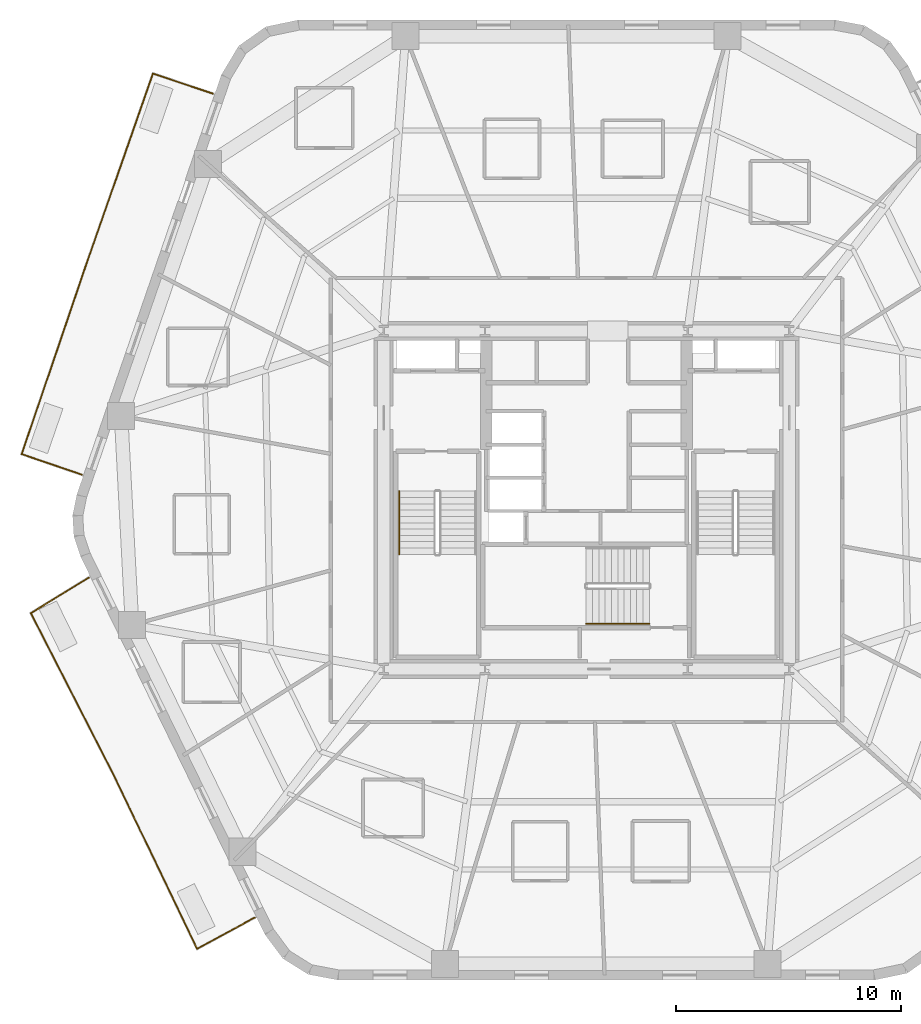
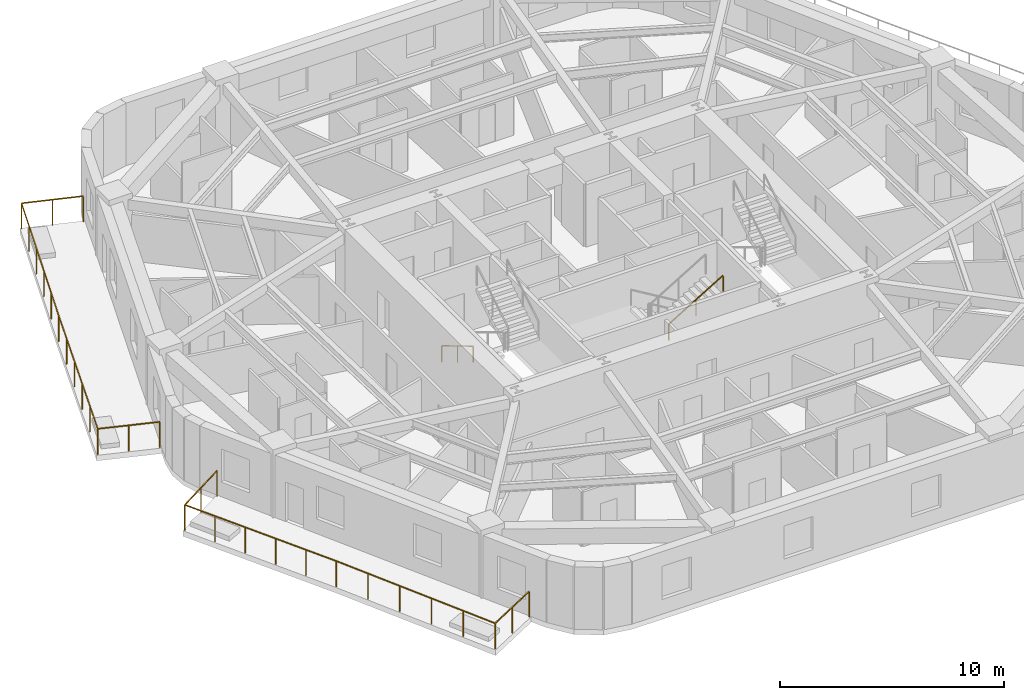
# One storey, part 8 of 10: 4 railings.
"""IFC4 building model written with IfcOpenShell, lengths in metres."""

from ifc_helpers import new_model, si_unit, direction, frame, origin, origin_2d, place, context, subcontext, project, spatial, rectangle, extrude, material, layer, layer_set, type_object, element, save


model = new_model("IFC4")

# Units and contexts
model_context = context("Model", 3, precision=1e-05, world=origin(), true_north=direction((0.0, 1.0)))
body_context = subcontext(model_context, "Body", "Model", "MODEL_VIEW")
ifc_project = project(units=[si_unit("LENGTHUNIT", "METRE"), si_unit("AREAUNIT", "SQUARE_METRE"), si_unit("VOLUMEUNIT", "CUBIC_METRE"), si_unit("PLANEANGLEUNIT", "RADIAN"), si_unit("MASSUNIT", "GRAM", prefix="KILO")], contexts=[model_context])

# Site, building, storey
site_placement = place(None, origin())
site = spatial("IfcSite", under=ifc_project, at=site_placement, CompositionType="ELEMENT")
building_placement = place(site_placement, origin())
building = spatial("IfcBuilding", under=site, at=building_placement, Name="Kilnhurst Terrace Hotel", CompositionType="ELEMENT")
storey_placement = place(building_placement, frame((0.0, 0.0, 117.300048828125)))
storey = spatial("IfcBuildingStorey", under=building, at=storey_placement, Name="L28", CompositionType="ELEMENT", Elevation=117.300048828125)

# Railings
ifc_material_1 = material(Name="Laminated SentryGlas and Stainless Steel AISI 316L Balustrade", Category="steel")
ifc_layer_1 = layer(ifc_material_1, 0.070068359375, Name="Laminated SentryGlas and Stainless Steel AISI 316L Balustrade")
ifc_layer_set_1 = layer_set([ifc_layer_1], Name="Laminated SentryGlas and Stainless Steel AISI 316L Balustrade")
railing_type_1 = type_object("IfcRailingType", Name="RLG-BAL-1420", PredefinedType="BALUSTRADE", material=ifc_layer_set_1)
railing_1_placement = place(storey_placement, frame((-22.394287109375, 1.123779296875, 0.0)))
element("IfcRailing", 1, at=railing_1_placement, inside=storey, type_object=railing_type_1, Name="L28 Exterior Terrace Guardrail BAL-L2A.1", PredefinedType="BALUSTRADE", context=body_context, shape_type="SweptSolid", body=[
    extrude(rectangle(XDim=0.048095703125, YDim=0.048095703125, at=origin_2d()), frame((0.0, 0.0, 1.39599609375), z_axis=(-0.945999088216, 0.324169284625, 0.0), x_axis=(-0.324169284625, -0.945999088216, 0.0)), (0.0, 0.0, 1.0), 2.818115234375),
    extrude(rectangle(XDim=0.048095703125, YDim=0.048095703125, at=origin_2d()), frame((-2.666015625, 0.91357421875, 1.39599609375), z_axis=(0.322236749626, 0.946659113509, 0.0), x_axis=(-0.946659113509, 0.322236749626, 0.0)), (0.0, 0.0, 1.0), 8.94921875),
    extrude(rectangle(XDim=0.048095703125, YDim=0.048095703125, at=origin_2d()), frame((0.2177734375, 9.385498046875, 1.39599609375), z_axis=(0.329867270016, 0.94402732173, 0.0), x_axis=(-0.94402732173, 0.329867270016, 0.0)), (0.0, 0.0, 1.0), 8.9140625),
    extrude(rectangle(XDim=0.048095703125, YDim=0.048095703125, at=origin_2d()), frame((3.158203125, 17.800537109375, 1.39599609375), z_axis=(0.948125796951, -0.317895380834, 0.0), x_axis=(0.317895380834, 0.948125796951, 0.0)), (0.0, 0.0, 1.0), 2.81005859375),
    extrude(rectangle(XDim=0.0419921875, YDim=0.0419921875, at=origin_2d()), origin(), (0.0, 0.0, 1.0), 1.371826171875),
    extrude(rectangle(XDim=0.0419921875, YDim=0.0419921875, at=origin_2d()), frame((-1.3330078125, 0.456787109375, 0.0)), (0.0, 0.0, 1.0), 1.371826171875),
    extrude(rectangle(XDim=0.0419921875, YDim=0.0419921875, at=origin_2d()), frame((-2.666015625, 0.91357421875, 0.0)), (0.0, 0.0, 1.0), 1.371826171875),
    extrude(rectangle(XDim=0.0419921875, YDim=0.0419921875, at=origin_2d()), frame((-2.08935546875, 2.60791015625, 0.0)), (0.0, 0.0, 1.0), 1.371826171875),
    extrude(rectangle(XDim=0.0419921875, YDim=0.0419921875, at=origin_2d()), frame((-1.512451171875, 4.30224609375, 0.0)), (0.0, 0.0, 1.0), 1.371826171875),
    extrude(rectangle(XDim=0.0419921875, YDim=0.0419921875, at=origin_2d()), frame((-0.935791015625, 5.996826171875, 0.0)), (0.0, 0.0, 1.0), 1.371826171875),
    extrude(rectangle(XDim=0.0419921875, YDim=0.0419921875, at=origin_2d()), frame((-0.35888671875, 7.691162109375, 0.0)), (0.0, 0.0, 1.0), 1.371826171875),
    extrude(rectangle(XDim=0.0419921875, YDim=0.0419921875, at=origin_2d()), frame((0.2177734375, 9.385498046875, 0.0)), (0.0, 0.0, 1.0), 1.371826171875),
    extrude(rectangle(XDim=0.0419921875, YDim=0.0419921875, at=origin_2d()), frame((0.805908203125, 11.068603515625, 0.0)), (0.0, 0.0, 1.0), 1.371826171875),
    extrude(rectangle(XDim=0.0419921875, YDim=0.0419921875, at=origin_2d()), frame((1.39404296875, 12.75146484375, 0.0)), (0.0, 0.0, 1.0), 1.371826171875),
    extrude(rectangle(XDim=0.0419921875, YDim=0.0419921875, at=origin_2d()), frame((1.98193359375, 14.4345703125, 0.0)), (0.0, 0.0, 1.0), 1.371826171875),
    extrude(rectangle(XDim=0.0419921875, YDim=0.0419921875, at=origin_2d()), frame((2.570068359375, 16.117431640625, 0.0)), (0.0, 0.0, 1.0), 1.371826171875),
    extrude(rectangle(XDim=0.0419921875, YDim=0.0419921875, at=origin_2d()), frame((3.158203125, 17.800537109375, 0.0)), (0.0, 0.0, 1.0), 1.371826171875),
    extrude(rectangle(XDim=0.0419921875, YDim=0.0419921875, at=origin_2d()), frame((4.490234375, 17.35400390625, 0.0)), (0.0, 0.0, 1.0), 1.371826171875),
    extrude(rectangle(XDim=0.0419921875, YDim=0.0419921875, at=origin_2d()), frame((5.822509765625, 16.9072265625, 0.0)), (0.0, 0.0, 1.0), 1.371826171875),
])
railing_2_placement = place(storey_placement, frame((-14.722900390625, -18.529541015625, 0.0)))
element("IfcRailing", 2, at=railing_2_placement, inside=storey, type_object=railing_type_1, Name="L28 Exterior Terrace Guardrail BAL-L2B.1", PredefinedType="BALUSTRADE", context=body_context, shape_type="SweptSolid", body=[
    extrude(rectangle(XDim=0.048095703125, YDim=0.048095703125, at=origin_2d()), frame((0.0, 0.0, 1.39599609375), z_axis=(-0.878553207741, -0.477644492451, 0.0), x_axis=(0.477644492451, -0.878553207741, 0.0)), (0.0, 0.0, 1.0), 2.90478515625),
    extrude(rectangle(XDim=0.048095703125, YDim=0.048095703125, at=origin_2d()), frame((-2.552001953125, -1.387451171875, 1.39599609375), z_axis=(-0.43291229924, 0.901436043858, 0.0), x_axis=(-0.901436043858, -0.43291229924, 0.0)), (0.0, 0.0, 1.0), 8.583251953125),
    extrude(rectangle(XDim=0.048095703125, YDim=0.048095703125, at=origin_2d()), frame((-6.267822265625, 6.349853515625, 1.39599609375), z_axis=(-0.514495755428, 0.857492925713, 0.0), x_axis=(-0.857492925713, -0.514495755428, 0.0)), (0.0, 0.0, 1.0), 0.00146484375),
    extrude(rectangle(XDim=0.048095703125, YDim=0.048095703125, at=origin_2d()), frame((-6.2685546875, 6.35107421875, 1.39599609375), z_axis=(-0.455744437697, 0.890110671494, 0.0), x_axis=(-0.890110671494, -0.455744437697, 0.0)), (0.0, 0.0, 1.0), 8.039794921875),
    extrude(rectangle(XDim=0.048095703125, YDim=0.048095703125, at=origin_2d()), frame((-9.9326171875, 13.50732421875, 1.39599609375), z_axis=(0.85191630472, 0.523677963784, 0.0), x_axis=(-0.523677963784, 0.85191630472, 0.0)), (0.0, 0.0, 1.0), 3.0205078125),
    extrude(rectangle(XDim=0.0419921875, YDim=0.0419921875, at=origin_2d()), origin(), (0.0, 0.0, 1.0), 1.371826171875),
    extrude(rectangle(XDim=0.0419921875, YDim=0.0419921875, at=origin_2d()), frame((-1.27587890625, -0.69384765625, 0.0)), (0.0, 0.0, 1.0), 1.371826171875),
    extrude(rectangle(XDim=0.0419921875, YDim=0.0419921875, at=origin_2d()), frame((-2.552001953125, -1.387451171875, 0.0)), (0.0, 0.0, 1.0), 1.371826171875),
    extrude(rectangle(XDim=0.0419921875, YDim=0.0419921875, at=origin_2d()), frame((-3.295166015625, 0.159912109375, 0.0)), (0.0, 0.0, 1.0), 1.371826171875),
    extrude(rectangle(XDim=0.0419921875, YDim=0.0419921875, at=origin_2d()), frame((-4.038330078125, 1.70751953125, 0.0)), (0.0, 0.0, 1.0), 1.371826171875),
    extrude(rectangle(XDim=0.0419921875, YDim=0.0419921875, at=origin_2d()), frame((-4.781494140625, 3.2548828125, 0.0)), (0.0, 0.0, 1.0), 1.371826171875),
    extrude(rectangle(XDim=0.0419921875, YDim=0.0419921875, at=origin_2d()), frame((-5.524658203125, 4.802490234375, 0.0)), (0.0, 0.0, 1.0), 1.371826171875),
    extrude(rectangle(XDim=0.0419921875, YDim=0.0419921875, at=origin_2d()), frame((-6.267822265625, 6.349853515625, 0.0)), (0.0, 0.0, 1.0), 1.371826171875),
    extrude(rectangle(XDim=0.0419921875, YDim=0.0419921875, at=origin_2d()), frame((-6.2685546875, 6.35107421875, 0.0)), (0.0, 0.0, 1.0), 1.371826171875),
    extrude(rectangle(XDim=0.0419921875, YDim=0.0419921875, at=origin_2d()), frame((-7.00146484375, 7.7822265625, 0.0)), (0.0, 0.0, 1.0), 1.371826171875),
    extrude(rectangle(XDim=0.0419921875, YDim=0.0419921875, at=origin_2d()), frame((-7.734130859375, 9.213623046875, 0.0)), (0.0, 0.0, 1.0), 1.371826171875),
    extrude(rectangle(XDim=0.0419921875, YDim=0.0419921875, at=origin_2d()), frame((-8.467041015625, 10.644775390625, 0.0)), (0.0, 0.0, 1.0), 1.371826171875),
    extrude(rectangle(XDim=0.0419921875, YDim=0.0419921875, at=origin_2d()), frame((-9.19970703125, 12.076171875, 0.0)), (0.0, 0.0, 1.0), 1.371826171875),
    extrude(rectangle(XDim=0.0419921875, YDim=0.0419921875, at=origin_2d()), frame((-9.9326171875, 13.50732421875, 0.0)), (0.0, 0.0, 1.0), 1.371826171875),
    extrude(rectangle(XDim=0.0419921875, YDim=0.0419921875, at=origin_2d()), frame((-8.64599609375, 14.29833984375, 0.0)), (0.0, 0.0, 1.0), 1.371826171875),
    extrude(rectangle(XDim=0.0419921875, YDim=0.0419921875, at=origin_2d()), frame((-7.359375, 15.089111328125, 0.0)), (0.0, 0.0, 1.0), 1.371826171875),
])
ifc_material_2 = material(Name="Brushed Stainless Steel AISI 304", Category="steel")
ifc_layer_2 = layer(ifc_material_2, 0.048095703125, Name="Brushed Stainless Steel AISI 304")
ifc_layer_set_2 = layer_set([ifc_layer_2], Name="Brushed Stainless Steel AISI 304")
railing_type_2 = type_object("IfcRailingType", Name="RLG-ST-HRL-900", PredefinedType="HANDRAIL", material=ifc_layer_set_2)
railing_3_placement = place(storey_placement, frame((-8.300048828125, 0.389892578125, 0.168212890625)))
element("IfcRailing", 3, at=railing_3_placement, inside=storey, type_object=railing_type_2, Name="L28 ST-1 stair handrail 1", PredefinedType="HANDRAIL", context=body_context, shape_type="SweptSolid", body=[
    extrude(rectangle(XDim=0.048095703125, YDim=0.048095703125, at=origin_2d()), frame((0.0, 0.0, 0.8759765625), z_axis=(0.0, -0.857255387014, 0.514891446264), x_axis=(1.0, 0.0, 0.0)), (0.0, 0.0, 1.0), 3.26611328125),
    extrude(rectangle(XDim=0.0419921875, YDim=0.0419921875, at=origin_2d()), origin(), (0.0, 0.0, 1.0), 0.851806640625),
    extrude(rectangle(XDim=0.0419921875, YDim=0.0419921875, at=origin_2d()), frame((0.0, -1.39990234375, 0.8408203125)), (0.0, 0.0, 1.0), 0.851806640625),
    extrude(rectangle(XDim=0.0419921875, YDim=0.0419921875, at=origin_2d()), frame((0.0, -2.7998046875, 1.681640625)), (0.0, 0.0, 1.0), 0.851806640625),
])
railing_4_placement = place(storey_placement, frame((-0.010009765625, -5.5, 2.01806640625)))
element("IfcRailing", 4, at=railing_4_placement, inside=storey, type_object=railing_type_2, Name="L28 ST-3 stair handrail 2", PredefinedType="HANDRAIL", context=body_context, shape_type="SweptSolid", body=[
    extrude(rectangle(XDim=0.048095703125, YDim=0.048095703125, at=origin_2d()), frame((0.0, 0.0, 0.8759765625), z_axis=(0.857242210791, 0.0, 0.514913383045), x_axis=(0.0, 1.0, 0.0)), (0.0, 0.0, 1.0), 3.266357421875),
    extrude(rectangle(XDim=0.0419921875, YDim=0.0419921875, at=origin_2d()), origin(), (0.0, 0.0, 1.0), 0.851806640625),
    extrude(rectangle(XDim=0.0419921875, YDim=0.0419921875, at=origin_2d()), frame((1.39990234375, 0.0, 0.8408203125)), (0.0, 0.0, 1.0), 0.851806640625),
    extrude(rectangle(XDim=0.0419921875, YDim=0.0419921875, at=origin_2d()), frame((2.800048828125, 0.0, 1.681884765625)), (0.0, 0.0, 1.0), 0.851806640625),
])

save(model, "model.ifc")
